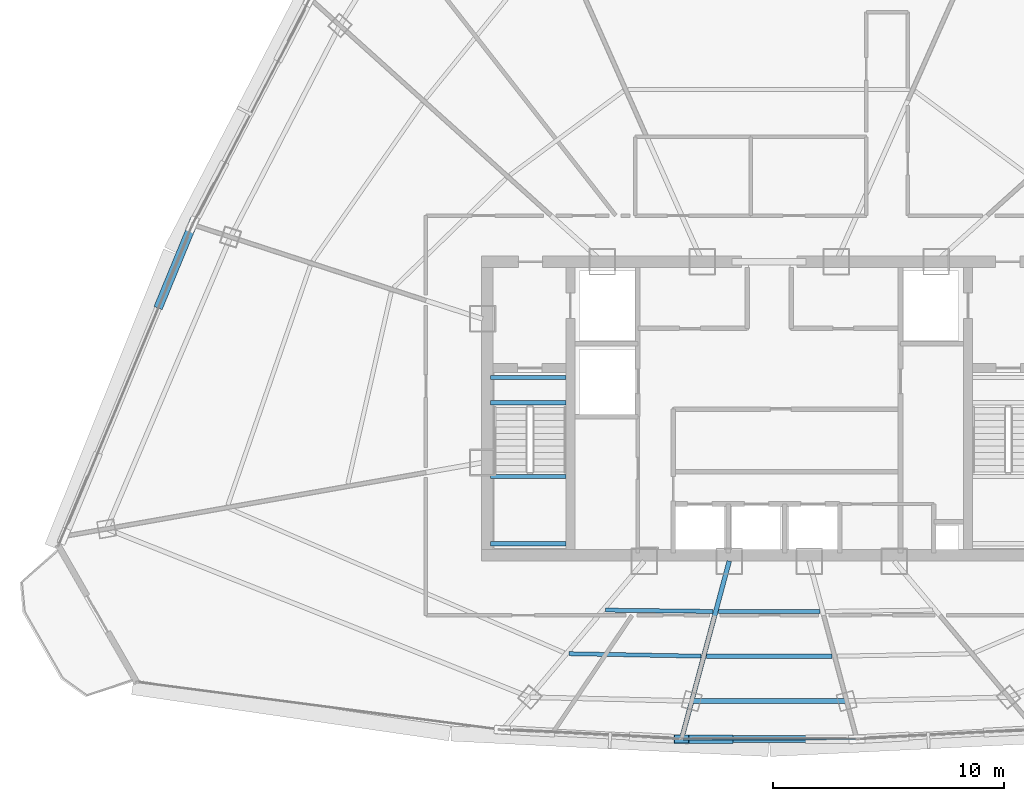
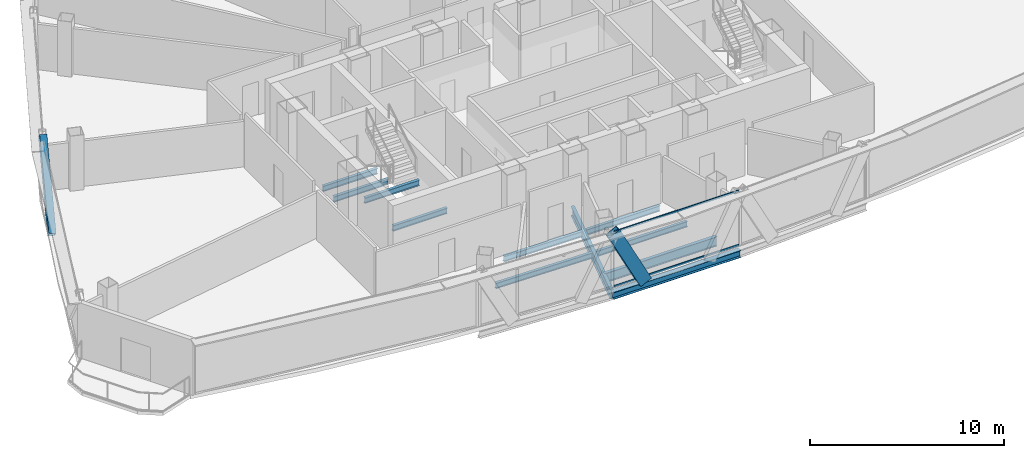
# One storey, part 7 of 35: 11 beams, 4 members, 1 element without a shape of its own.
"""IFC4 building model written with IfcOpenShell, lengths in metres."""

from ifc_helpers import new_model, si_unit, direction, frame, origin, origin_2d, place, context, subcontext, project, spatial, hollow_rectangle, i_section, extrude, source, transform, mapped, material, layer, layer_set, material_profile, profile_set, type_object, element, aggregate, save


model = new_model("IFC4")

# Units and contexts
model_context = context("Model", 3, precision=1e-05, world=origin(), true_north=direction((0.0, 1.0)))
body_context = subcontext(model_context, "Body", "Model", "MODEL_VIEW")
ifc_project = project(units=[si_unit("LENGTHUNIT", "METRE"), si_unit("AREAUNIT", "SQUARE_METRE"), si_unit("VOLUMEUNIT", "CUBIC_METRE"), si_unit("PLANEANGLEUNIT", "RADIAN"), si_unit("MASSUNIT", "GRAM", prefix="KILO"), si_unit("THERMODYNAMICTEMPERATUREUNIT", "KELVIN"), si_unit("POWERUNIT", "WATT")], contexts=[model_context])

# Site, building, storey
site_placement = place(None, origin())
site = spatial("IfcSite", under=ifc_project, at=site_placement, CompositionType="ELEMENT")
building_placement = place(site_placement, origin())
building = spatial("IfcBuilding", under=site, at=building_placement, Name="Yunzhuo Pagoda Commons", CompositionType="ELEMENT")
storey_placement = place(building_placement, frame((0.0, 0.0, 299.93994140625)))
storey = spatial("IfcBuildingStorey", under=building, at=storey_placement, Name="L75", CompositionType="ELEMENT", Elevation=299.93994140625)

# Beams
ifc_material_1 = material(Name="Structural steel Q355B", Category="steel")
ifc_material_profile_1 = material_profile(ifc_material_1, i_section(OverallWidth=0.175048828125, OverallDepth=0.35009765625, WebThickness=0.007080078125, FlangeThickness=0.010986328125, at=origin_2d()), Name="Structural steel Q355B")
ifc_profile_set_1 = profile_set([ifc_material_profile_1], Name="Structural steel Q355B")
beam_type_1 = type_object("IfcBeamType", Name="B-JS2 Joist HN 350x175x7x11", PredefinedType="JOIST", material=ifc_profile_set_1)
shared_shape_1 = source(origin(), body_context, "Body", "SweptSolid", [
    extrude(i_section(OverallWidth=0.175048828125, OverallDepth=0.35009765625, WebThickness=0.007080078125, FlangeThickness=0.010986328125, at=origin_2d()), origin(), (0.0, 0.0, 1.0), 3.25),
])
for number, where, z_axis, x_axis, name in (
    (1, (35.949951171875, 28.0, 1.489990234375), (1.0, 0.0, 0.0), (0.0, 1.0, 0.0), "L75 ST1 landing support beam 81A"),
    (2, (35.949951171875, 30.89990234375, 1.489990234375), (1.0, 0.0, 0.0), (0.0, 1.0, 0.0), "L75 ST1 landing support beam 81B"),
    (3, (35.949951171875, 34.10009765625, -0.375), (1.0, 0.0, 0.0), (0.0, 1.0, 0.0), "L75 ST1 landing support beam 179A"),
    (4, (35.949951171875, 35.199951171875, -0.375), (1.0, 0.0, 0.0), (0.0, 1.0, 0.0), "L75 ST1 landing support beam 179B"),
):
    element("IfcBeam", number, at=place(storey_placement, frame(where, z_axis=z_axis, x_axis=x_axis)), inside=storey, type_object=beam_type_1, Name=name, PredefinedType="JOIST", context=body_context, shape_type="MappedRepresentation", body=[
        mapped(shared_shape_1, transform((0.0, 0.0, 0.0), scale=1.0)),
    ])
shared_shape_2 = source(origin(), body_context, "Body", "SweptSolid", [
    extrude(i_section(OverallWidth=0.175048828125, OverallDepth=0.35009765625, WebThickness=0.007080078125, FlangeThickness=0.010986328125, at=origin_2d()), origin(), (0.0, 0.0, 1.0), 4.64892578125),
])
beam_1_placement = place(storey_placement, frame((40.924072265625, 25.12890625, -0.43505859375), z_axis=(0.999924495467, -0.012288342626, 0.0), x_axis=(0.012288342626, 0.999924495467, 0.0)))
element("IfcBeam", 5, at=beam_1_placement, inside=storey, type_object=beam_type_1, Name="L75 composite ring joist 1.1", PredefinedType="JOIST", context=body_context, shape_type="MappedRepresentation", body=[
    mapped(shared_shape_2, transform((0.0, 0.0, 0.0), scale=1.0)),
])
shared_shape_3 = source(origin(), body_context, "Body", "SweptSolid", [
    extrude(i_section(OverallWidth=0.175048828125, OverallDepth=0.35009765625, WebThickness=0.007080078125, FlangeThickness=0.010986328125, at=origin_2d()), origin(), (0.0, 0.0, 1.0), 5.711669921875),
])
beam_2_placement = place(storey_placement, frame((39.343017578125, 23.24365234375, -0.43505859375), z_axis=(0.999819084998, -0.019020969297, 0.0), x_axis=(0.019020969297, 0.999819084998, 0.0)))
element("IfcBeam", 6, at=beam_2_placement, inside=storey, type_object=beam_type_1, Name="L75 composite ring joist 2.1", PredefinedType="JOIST", context=body_context, shape_type="MappedRepresentation", body=[
    mapped(shared_shape_3, transform((0.0, 0.0, 0.0), scale=1.0)),
])
ifc_material_profile_2 = material_profile(ifc_material_1, i_section(OverallWidth=0.199951171875, OverallDepth=0.60009765625, WebThickness=0.010986328125, FlangeThickness=0.01708984375, at=origin_2d()), Name="Structural steel Q355B")
ifc_profile_set_2 = profile_set([ifc_material_profile_2], Name="Structural steel Q355B")
beam_type_2 = type_object("IfcBeamType", Name="B-RG3 Beam HN 600x200x11x17", PredefinedType="BEAM", material=ifc_profile_set_2)
shared_shape_4 = source(origin(), body_context, "Body", "SweptSolid", [
    extrude(i_section(OverallWidth=0.199951171875, OverallDepth=0.60009765625, WebThickness=0.010986328125, FlangeThickness=0.01708984375, at=origin_2d()), origin(), (0.0, 0.0, 1.0), 6.701171875),
])
beam_3_placement = place(storey_placement, frame((44.6494140625, 21.195556640625, -0.56005859375), z_axis=(1.0, 0.0, 0.0), x_axis=(0.0, 1.0, 0.0)))
element("IfcBeam", 7, at=beam_3_placement, inside=storey, type_object=beam_type_2, Name="L75 column-ring beam 2", PredefinedType="BEAM", context=body_context, shape_type="MappedRepresentation", body=[
    mapped(shared_shape_4, transform((0.0, 0.0, 0.0), scale=1.0)),
])
shared_shape_5 = source(origin(), body_context, "Body", "SweptSolid", [
    extrude(i_section(OverallWidth=0.175048828125, OverallDepth=0.35009765625, WebThickness=0.007080078125, FlangeThickness=0.010986328125, at=origin_2d()), origin(), (0.0, 0.0, 1.0), 4.39453125),
])
beam_4_placement = place(storey_placement, frame((45.802734375, 25.070556640625, -0.43505859375), z_axis=(1.0, 0.0, 0.0), x_axis=(0.0, 1.0, 0.0)))
element("IfcBeam", 8, at=beam_4_placement, inside=storey, type_object=beam_type_1, Name="L75 composite ring joist 1.2", PredefinedType="JOIST", context=body_context, shape_type="MappedRepresentation", body=[
    mapped(shared_shape_5, transform((0.0, 0.0, 0.0), scale=1.0)),
])
shared_shape_6 = source(origin(), body_context, "Body", "SweptSolid", [
    extrude(i_section(OverallWidth=0.175048828125, OverallDepth=0.35009765625, WebThickness=0.007080078125, FlangeThickness=0.010986328125, at=origin_2d()), origin(), (0.0, 0.0, 1.0), 5.43310546875),
])
beam_5_placement = place(storey_placement, frame((45.283447265625, 23.133056640625, -0.43505859375), z_axis=(1.0, 0.0, 0.0), x_axis=(0.0, 1.0, 0.0)))
element("IfcBeam", 9, at=beam_5_placement, inside=storey, type_object=beam_type_1, Name="L75 composite ring joist 2.2", PredefinedType="JOIST", context=body_context, shape_type="MappedRepresentation", body=[
    mapped(shared_shape_6, transform((0.0, 0.0, 0.0), scale=1.0)),
])
shared_shape_7 = source(origin(), body_context, "Body", "SweptSolid", [
    extrude(i_section(OverallWidth=0.199951171875, OverallDepth=0.60009765625, WebThickness=0.010986328125, FlangeThickness=0.01708984375, at=origin_2d()), origin(), (0.0, 0.0, 1.0), 7.82080078125),
])
beam_6_placement = place(storey_placement, frame((44.24755859375, 19.69580078125, -0.56005859375), z_axis=(0.258851551994, 0.965917115508, 0.0), x_axis=(-0.965917115508, 0.258851551994, 0.0)))
element("IfcBeam", 10, at=beam_6_placement, inside=storey, type_object=beam_type_2, Name="L75 radial floor girder F1C2", PredefinedType="BEAM", context=body_context, shape_type="MappedRepresentation", body=[
    mapped(shared_shape_7, transform((0.0, 0.0, 0.0), scale=1.0)),
])
ifc_material_profile_3 = material_profile(ifc_material_1, i_section(OverallWidth=0.300048828125, OverallDepth=0.43994140625, WebThickness=0.010986328125, FlangeThickness=0.01806640625, at=origin_2d()), Name="Structural steel Q355B")
ifc_profile_set_3 = profile_set([ifc_material_profile_3], Name="Structural steel Q355B")
beam_type_3 = type_object("IfcBeamType", Name="B-SP2 Beam HM 440x300x11x18", PredefinedType="BEAM", material=ifc_profile_set_3)
shared_shape_8 = source(origin(), body_context, "Body", "SweptSolid", [
    extrude(i_section(OverallWidth=0.300048828125, OverallDepth=0.43994140625, WebThickness=0.010986328125, FlangeThickness=0.01806640625, at=origin_2d()), origin(), (0.0, 0.0, 1.0), 7.5849609375),
])
beam_7_placement = place(storey_placement, frame((44.207763671875, 19.5458984375, -0.47998046875), z_axis=(1.0, 0.0, 0.0), x_axis=(0.0, 1.0, 0.0)))
element("IfcBeam", 11, at=beam_7_placement, inside=storey, type_object=beam_type_3, Name="L75 facade edge spandrel beam F1.2", PredefinedType="BEAM", context=body_context, shape_type="MappedRepresentation", body=[
    mapped(shared_shape_8, transform((0.0, 0.0, 0.0), scale=1.0)),
])

# Members
ifc_material_profile_4 = material_profile(ifc_material_1, hollow_rectangle(XDim=0.3798828125, YDim=0.719970703125, WallThickness=0.02001953125, at=origin_2d()), Name="Structural steel Q355B")
ifc_profile_set_4 = profile_set([ifc_material_profile_4], Name="Structural steel Q355B")
member_type_1 = type_object("IfcMemberType", Name="M-DL3 Brace BOX 720x380x20", PredefinedType="BRACE", material=ifc_profile_set_4)
shared_shape_9 = source(origin(), body_context, "Body", "SweptSolid", [
    extrude(hollow_rectangle(XDim=0.3798828125, YDim=0.719970703125, WallThickness=0.02001953125, at=origin_2d()), origin(), (0.0, 0.0, 1.0), 4.18408203125),
])
member_1_placement = place(storey_placement, frame((46.103759765625, 19.5458984375, -0.260009765625), z_axis=(-0.453131947399, 0.0, 0.891443457683), x_axis=(0.0, -1.0, 0.0)))
element("IfcMember", 12, at=member_1_placement, inside=storey, type_object=member_type_1, Name="L75 facade diamond brace F1.2L", PredefinedType="BRACE", context=body_context, shape_type="MappedRepresentation", body=[
    mapped(shared_shape_9, transform((0.0, 0.0, 0.0), scale=1.0)),
])
shared_shape_10 = source(origin(), body_context, "Body", "SweptSolid", [
    extrude(hollow_rectangle(XDim=0.3798828125, YDim=0.719970703125, WallThickness=0.02001953125, at=origin_2d()), origin(), (0.0, 0.0, 1.0), 5.216796875),
])
member_2_placement = place(storey_placement, frame((21.6591796875, 38.43505859375, -0.260009765625), z_axis=(0.266614279222, 0.646295101993, 0.714996130937), x_axis=(-0.924429751902, 0.381352374843, 0.0)))
element("IfcMember", 13, at=member_2_placement, inside=storey, type_object=member_type_1, Name="L75 facade diamond brace F3.3L", PredefinedType="BRACE", context=body_context, shape_type="MappedRepresentation", body=[
    mapped(shared_shape_10, transform((0.0, 0.0, 0.0), scale=1.0)),
])

# Curtain wall, members
ifc_material_2 = material(Name="Anodized aluminium 6063-T6", Category="aluminium")
ifc_layer = layer(ifc_material_2, 0.139892578125)
ifc_layer_set = layer_set([ifc_layer], Name="Anodized aluminium 6063-T6")
curtain_wall_type = type_object("IfcCurtainWallType", Name="CW-HI High-Zone Ribbon Curtain Wall", PredefinedType="NOTDEFINED", material=ifc_layer_set)
curtain_wall_placement = place(storey_placement, origin())
curtain_wall = element("IfcCurtainWall", 14, at=curtain_wall_placement, inside=storey, type_object=curtain_wall_type, Name="L75 curtain wall CW-L75-F1B3", PredefinedType="NOTDEFINED")
ifc_material_profile_5 = material_profile(ifc_material_2, hollow_rectangle(XDim=0.054931640625, YDim=0.1201171875, WallThickness=0.00341796875, at=origin_2d()), Name="Anodized aluminium 6063-T6")
ifc_profile_set_5 = profile_set([ifc_material_profile_5], Name="Anodized aluminium 6063-T6")
member_type_2 = type_object("IfcMemberType", Name="CW-HI-T Transom RHS 120x55x3.5", PredefinedType="USERDEFINED", material=ifc_profile_set_5)
shared_shape_11 = source(origin(), body_context, "Body", "SweptSolid", [
    extrude(hollow_rectangle(XDim=0.054931640625, YDim=0.1201171875, WallThickness=0.00341796875, at=origin_2d()), origin(), (0.0, 0.0, 1.0), 7.46533203125),
])
member_3_placement = place(storey_placement, frame((44.267333984375, 19.5458984375, 0.027587890625), z_axis=(1.0, 0.0, 0.0), x_axis=(0.0, 1.0, 0.0)))
member_3 = element("IfcMember", 15, at=member_3_placement, type_object=member_type_2, Name="CW transom 1.1", ObjectType="TRANSOM", PredefinedType="USERDEFINED", context=body_context, shape_type="MappedRepresentation", body=[
    mapped(shared_shape_11, transform((0.0, 0.0, 0.0), scale=1.0)),
])
member_4_placement = place(storey_placement, frame((44.267333984375, 19.5458984375, 3.442626953125), z_axis=(1.0, 0.0, 0.0), x_axis=(0.0, 1.0, 0.0)))
member_4 = element("IfcMember", 16, at=member_4_placement, type_object=member_type_2, Name="CW transom 1.2", ObjectType="TRANSOM", PredefinedType="USERDEFINED", context=body_context, shape_type="MappedRepresentation", body=[
    mapped(shared_shape_11, transform((0.0, 0.0, 0.0), scale=1.0)),
])
aggregate(curtain_wall, [member_3, member_4])

save(model, "model.ifc")
